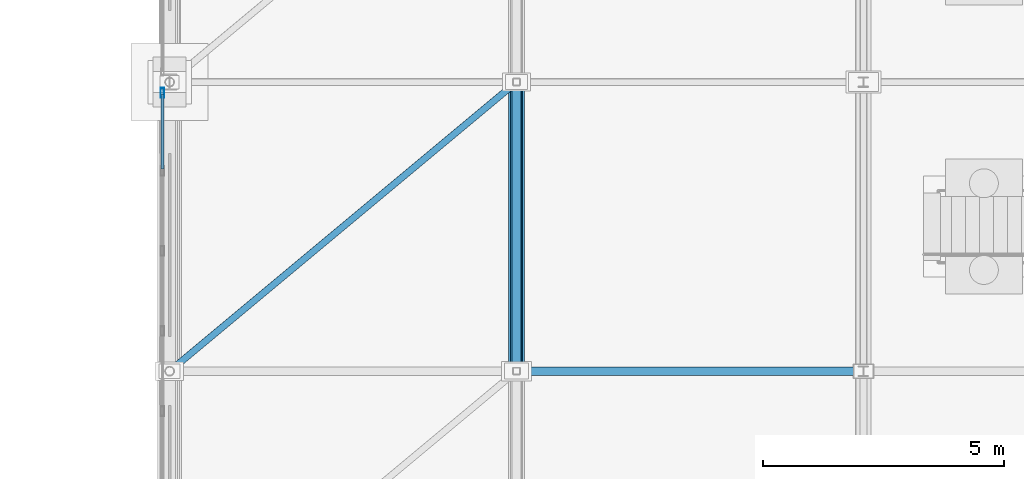
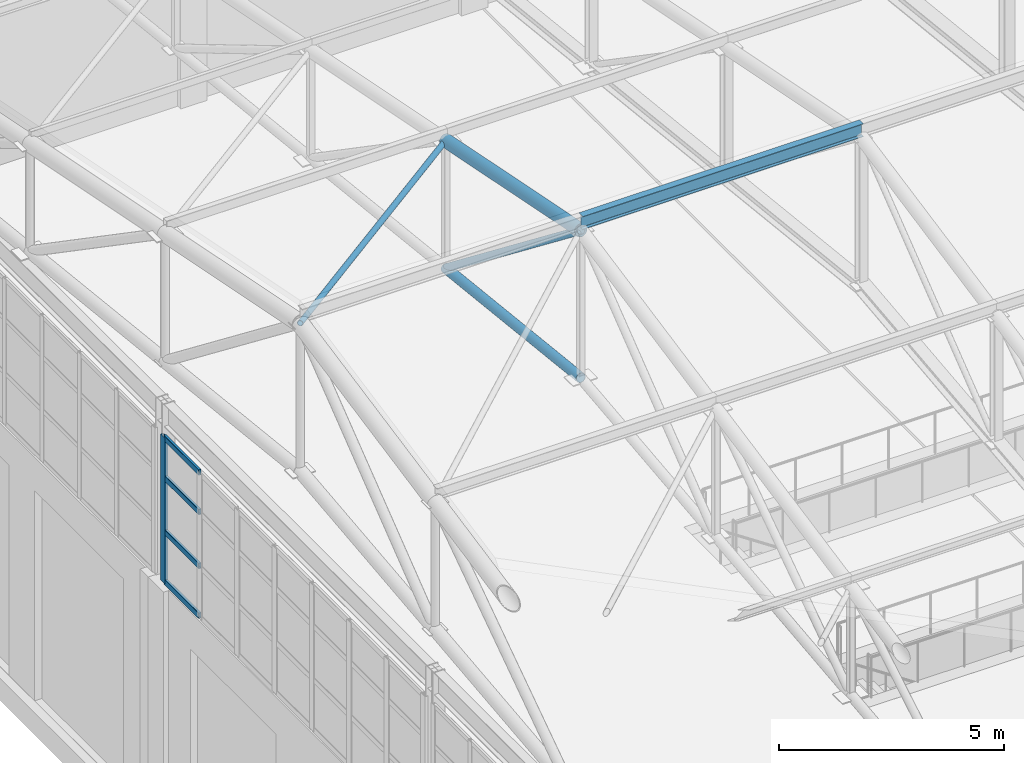
# One storey, part 121 of 293: 10 members, 1 element without a shape of its own.
"""IFC4 building model written with IfcOpenShell, lengths in metres."""

from ifc_helpers import new_model, si_unit, direction, frame, origin, origin_2d, place, context, subcontext, project, spatial, hollow_rectangle, hollow_circle, i_section, extrude, material, layer, layer_set, material_profile, profile_set, type_object, element, aggregate, save


model = new_model("IFC4")

# Units and contexts
model_context = context("Model", 3, precision=1e-05, world=origin(), true_north=direction((0.0, 1.0)))
body_context = subcontext(model_context, "Body", "Model", "MODEL_VIEW")
ifc_project = project(units=[si_unit("LENGTHUNIT", "METRE"), si_unit("AREAUNIT", "SQUARE_METRE"), si_unit("VOLUMEUNIT", "CUBIC_METRE"), si_unit("PLANEANGLEUNIT", "RADIAN"), si_unit("MASSUNIT", "GRAM", prefix="KILO")], contexts=[model_context])

# Site, building, storey
site_placement = place(None, origin())
site = spatial("IfcSite", under=ifc_project, at=site_placement, CompositionType="ELEMENT")
building_placement = place(site_placement, origin())
building = spatial("IfcBuilding", under=site, at=building_placement, Name="Kemerveld Promenade Tramway Depot", CompositionType="ELEMENT")
storey_placement = place(building_placement, origin())
storey = spatial("IfcBuildingStorey", under=building, at=storey_placement, Name="L00", CompositionType="ELEMENT", Elevation=0.0)

# Curtain wall, members
ifc_material_1 = material(Name="Bronze anodised aluminium and solar glass", Category="aluminium")
ifc_layer = layer(ifc_material_1, 0.199951171875)
ifc_layer_set = layer_set([ifc_layer], Name="CW-SYS-10")
curtain_wall_type = type_object("IfcCurtainWallType", Name="CW-SYS-10", PredefinedType="USERDEFINED", material=ifc_layer_set)
curtain_wall_placement = place(storey_placement, origin())
curtain_wall = element("IfcCurtainWall", 1, at=curtain_wall_placement, inside=storey, type_object=curtain_wall_type, Name="CW-V1-W-03", ObjectType="GLAZED_CURTAIN_WALL", PredefinedType="USERDEFINED")
ifc_material_2 = material(Name="Bronze anodised aluminium", Category="aluminium")
ifc_material_profile_1 = material_profile(ifc_material_2, hollow_rectangle(XDim=0.074951171875, YDim=0.199951171875, WallThickness=0.0048828125, InnerFilletRadius=0.001953125, OuterFilletRadius=0.0048828125, at=origin_2d()), Name="CW-MUL-200x75")
ifc_profile_set_1 = profile_set([ifc_material_profile_1], Name="Bronze anodised aluminium")
member_type_1 = type_object("IfcMemberType", Name="CW-MUL-B", PredefinedType="MULLION", material=ifc_profile_set_1)
member_1_placement = place(storey_placement, frame((35.85009765625, 119.779052734375, 6.64990234375), z_axis=(0.0, 0.0, 1.0), x_axis=(-1.0, 0.0, 0.0)))
member_1 = element("IfcMember", 2, at=member_1_placement, type_object=member_type_1, Name="CW10 mullion 8", PredefinedType="MULLION", context=body_context, shape_type="SweptSolid", body=[
    extrude(hollow_rectangle(XDim=0.074951171875, YDim=0.199951171875, WallThickness=0.0048828125, InnerFilletRadius=0.001953125, OuterFilletRadius=0.0048828125, at=origin_2d()), origin(), (0.0, 0.0, 1.0), 3.9501953125),
])
ifc_material_profile_2 = material_profile(ifc_material_2, hollow_rectangle(XDim=0.06494140625, YDim=0.14990234375, WallThickness=0.00439453125, InnerFilletRadius=0.001953125, OuterFilletRadius=0.00439453125, at=origin_2d()), Name="CW-TRN-150x65")
ifc_profile_set_2 = profile_set([ifc_material_profile_2], Name="Bronze anodised aluminium")
member_type_2 = type_object("IfcMemberType", Name="CW-TRN-B", PredefinedType="USERDEFINED", material=ifc_profile_set_2)
member_2_placement = place(storey_placement, frame((35.85009765625, 118.192138671875, 6.6826171875), z_axis=(0.0, 1.0, 0.0), x_axis=(-1.0, 0.0, 0.0)))
member_2 = element("IfcMember", 3, at=member_2_placement, type_object=member_type_2, Name="CW10 transom 7.1", ObjectType="TRANSOM", PredefinedType="USERDEFINED", context=body_context, shape_type="SweptSolid", body=[
    extrude(hollow_rectangle(XDim=0.06494140625, YDim=0.14990234375, WallThickness=0.00439453125, InnerFilletRadius=0.001953125, OuterFilletRadius=0.00439453125, at=origin_2d()), origin(), (0.0, 0.0, 1.0), 1.54931640625),
])
member_3_placement = place(storey_placement, frame((35.85009765625, 118.192138671875, 8.032958984375), z_axis=(0.0, 1.0, 0.0), x_axis=(-1.0, 0.0, 0.0)))
member_3 = element("IfcMember", 4, at=member_3_placement, type_object=member_type_2, Name="CW10 transom 7.2", ObjectType="TRANSOM", PredefinedType="USERDEFINED", context=body_context, shape_type="SweptSolid", body=[
    extrude(hollow_rectangle(XDim=0.06494140625, YDim=0.14990234375, WallThickness=0.00439453125, InnerFilletRadius=0.001953125, OuterFilletRadius=0.00439453125, at=origin_2d()), origin(), (0.0, 0.0, 1.0), 1.54931640625),
])
member_4_placement = place(storey_placement, frame((35.85009765625, 118.192138671875, 9.493896484375), z_axis=(0.0, 1.0, 0.0), x_axis=(-1.0, 0.0, 0.0)))
member_4 = element("IfcMember", 5, at=member_4_placement, type_object=member_type_2, Name="CW10 transom 7.3", ObjectType="TRANSOM", PredefinedType="USERDEFINED", context=body_context, shape_type="SweptSolid", body=[
    extrude(hollow_rectangle(XDim=0.06494140625, YDim=0.14990234375, WallThickness=0.00439453125, InnerFilletRadius=0.001953125, OuterFilletRadius=0.00439453125, at=origin_2d()), origin(), (0.0, 0.0, 1.0), 1.54931640625),
])
member_5_placement = place(storey_placement, frame((35.85009765625, 118.192138671875, 10.5673828125), z_axis=(0.0, 1.0, 0.0), x_axis=(-1.0, 0.0, 0.0)))
member_5 = element("IfcMember", 6, at=member_5_placement, type_object=member_type_2, Name="CW10 transom 7.4", ObjectType="TRANSOM", PredefinedType="USERDEFINED", context=body_context, shape_type="SweptSolid", body=[
    extrude(hollow_rectangle(XDim=0.06494140625, YDim=0.14990234375, WallThickness=0.00439453125, InnerFilletRadius=0.001953125, OuterFilletRadius=0.00439453125, at=origin_2d()), origin(), (0.0, 0.0, 1.0), 1.54931640625),
])
aggregate(curtain_wall, [member_1, member_2, member_3, member_4, member_5])

# Members
ifc_material_3 = material(Name="Steel S355", Category="steel")
ifc_material_profile_3 = material_profile(ifc_material_3, i_section(OverallWidth=0.172119140625, OverallDepth=0.35791015625, WebThickness=0.008056640625, FlangeThickness=0.012939453125, FilletRadius=0.01025390625, at=origin_2d()), Name="356x171x57 UB")
ifc_profile_set_3 = profile_set([ifc_material_profile_3], Name="Steel S355")
member_type_3 = type_object("IfcMemberType", Name="MB-M07", PredefinedType="PURLIN", material=ifc_profile_set_3)
member_6_placement = place(storey_placement, frame((43.199951171875, 114.0, 17.344970703125), z_axis=(1.0, 0.0, 0.0), x_axis=(0.0, 1.0, 0.0)))
element("IfcMember", 7, at=member_6_placement, inside=storey, type_object=member_type_3, Name="PUR-V1-05-07", PredefinedType="PURLIN", context=body_context, shape_type="SweptSolid", body=[
    extrude(i_section(OverallWidth=0.172119140625, OverallDepth=0.35791015625, WebThickness=0.008056640625, FlangeThickness=0.012939453125, FilletRadius=0.01025390625, at=origin_2d()), origin(), (0.0, 0.0, 1.0), 7.199951171875),
])
ifc_material_profile_4 = material_profile(ifc_material_3, hollow_circle(Radius=0.096923828125, WallThickness=0.008056640625, at=origin_2d()), Name="193.7x8.0 CHS")
ifc_profile_set_4 = profile_set([ifc_material_profile_4], Name="Steel S355")
member_type_4 = type_object("IfcMemberType", Name="MB-TB2", PredefinedType="BRACE", material=ifc_profile_set_4)
member_7_placement = place(storey_placement, frame((43.199951171875, 120.0, 12.43994140625), z_axis=(0.0, -0.789767329101, 0.613406525793), x_axis=(1.0, 0.0, 0.0)))
element("IfcMember", 8, at=member_7_placement, inside=storey, type_object=member_type_4, Name="TR-07-DG-06", PredefinedType="BRACE", context=body_context, shape_type="SweptSolid", body=[
    extrude(hollow_circle(Radius=0.096923828125, WallThickness=0.008056640625, at=origin_2d()), origin(), (0.0, 0.0, 1.0), 7.59716796875),
])
ifc_material_profile_5 = material_profile(ifc_material_3, hollow_circle(Radius=0.06982421875, WallThickness=0.00634765625, at=origin_2d()), Name="139.7x6.3 CHS")
ifc_profile_set_5 = profile_set([ifc_material_profile_5], Name="Steel S355")
member_type_5 = type_object("IfcMemberType", Name="MB-TB3", PredefinedType="BRACE", material=ifc_profile_set_5)
member_8_placement = place(storey_placement, frame((36.0, 114.0, 17.10009765625), z_axis=(0.761996594365, 0.63500146835, -0.127020964291), x_axis=(-0.640186961885, 0.768219144407, 0.0)))
element("IfcMember", 9, at=member_8_placement, inside=storey, type_object=member_type_5, Name="RBR-V1-05-06", PredefinedType="BRACE", context=body_context, shape_type="SweptSolid", body=[
    extrude(hollow_circle(Radius=0.06982421875, WallThickness=0.00634765625, at=origin_2d()), origin(), (0.0, 0.0, 1.0), 9.44873046875),
])
ifc_material_profile_6 = material_profile(ifc_material_3, hollow_circle(Radius=0.161865234375, WallThickness=0.012451171875, at=origin_2d()), Name="323.9x12.5 CHS")
ifc_profile_set_6 = profile_set([ifc_material_profile_6], Name="Steel S355")
member_type_6 = type_object("IfcMemberType", Name="MB-TC2", PredefinedType="CHORD", material=ifc_profile_set_6)
member_9_placement = place(storey_placement, frame((43.199951171875, 114.0, 17.10009765625), z_axis=(0.0, 0.980574536798, -0.196146827104), x_axis=(-1.0, 0.0, 0.0)))
element("IfcMember", 10, at=member_9_placement, inside=storey, type_object=member_type_6, Name="TR-07-TC-06", PredefinedType="CHORD", context=body_context, shape_type="SweptSolid", body=[
    extrude(hollow_circle(Radius=0.161865234375, WallThickness=0.012451171875, at=origin_2d()), origin(), (0.0, 0.0, 1.0), 6.118896484375),
])
ifc_material_profile_7 = material_profile(ifc_material_3, hollow_circle(Radius=0.122314453125, WallThickness=0.010009765625, at=origin_2d()), Name="244.5x10.0 CHS")
ifc_profile_set_7 = profile_set([ifc_material_profile_7], Name="Steel S355")
member_type_7 = type_object("IfcMemberType", Name="MB-TC3", PredefinedType="CHORD", material=ifc_profile_set_7)
member_10_placement = place(storey_placement, frame((43.199951171875, 114.0, 13.10009765625), z_axis=(0.0, 0.994001542248, -0.109366055104), x_axis=(-1.0, 0.0, 0.0)))
element("IfcMember", 11, at=member_10_placement, inside=storey, type_object=member_type_7, Name="TR-07-BC-06", PredefinedType="CHORD", context=body_context, shape_type="SweptSolid", body=[
    extrude(hollow_circle(Radius=0.122314453125, WallThickness=0.010009765625, at=origin_2d()), origin(), (0.0, 0.0, 1.0), 6.0361328125),
])

save(model, "model.ifc")
